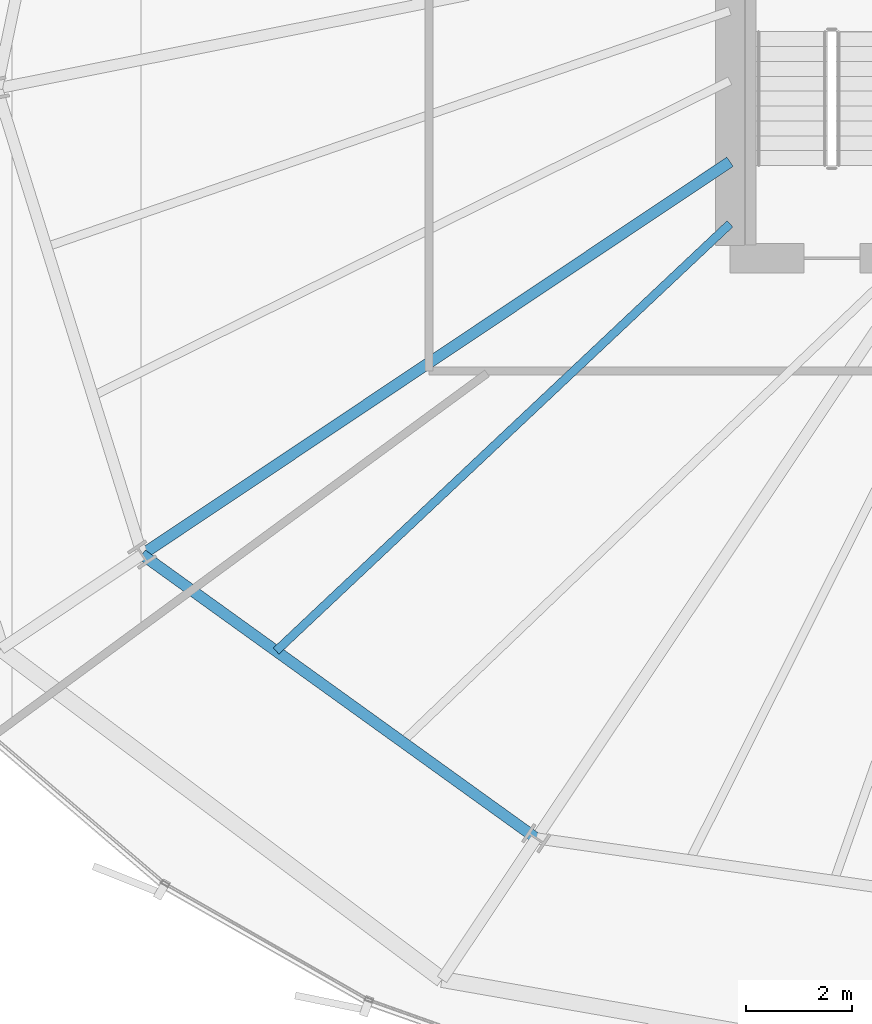
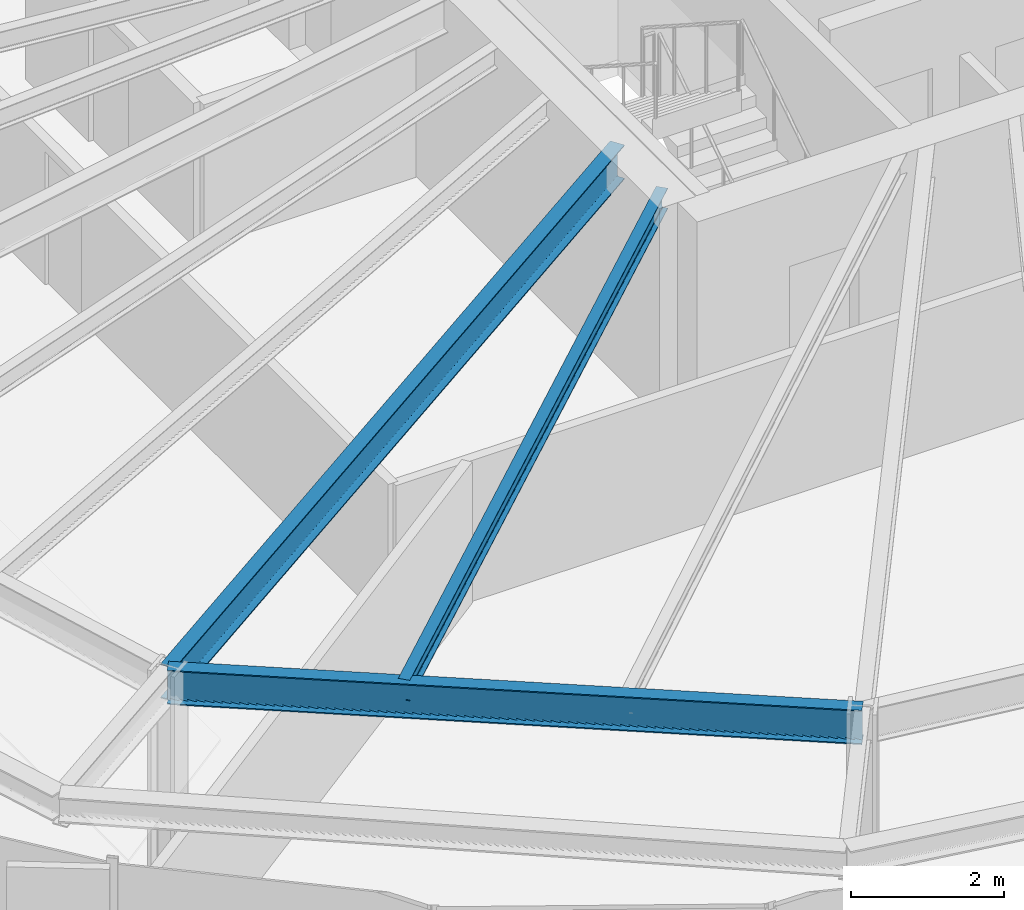
# One storey, part 4 of 33: 3 beams.
"""IFC4 building model written with IfcOpenShell, lengths in metres."""

import ifcopenshell
import ifcopenshell.guid

model = None  # the IFC model being written
_history = None  # IfcOwnerHistory: only IFC2X3 demands one
_inside = {}  # id of a spatial element -> (the spatial element, [elements in it])
_under = {}  # id of a project, library or spatial element -> (it, [spatial elements below it])
_declared = {}  # id of a project -> (the project, [libraries it declares])
_typed = {}  # id of a type object -> (the type object, [elements of that type])
_made_of = {}  # id of a material, layer set ... -> (it, [elements and type objects made of it])


def new_model(schema):
    """Start an empty IFC model of exactly this schema.

    Asked for "IFC4X3", IfcOpenShell would pick the latest addendum, in which some entities
    have other attributes; the version numbers below select the first issue.
    IFC2X3 requires an IfcOwnerHistory on every rooted entity: one is made here for all.
    """
    global model, _history
    if schema == "IFC4X3":
        model = ifcopenshell.file(schema_version=(4, 3, 0, 0))
    else:
        model = ifcopenshell.file(schema=schema)
    _inside.clear()
    _under.clear()
    _declared.clear()
    _typed.clear()
    _made_of.clear()
    _history = None
    if model.schema == "IFC2X3":
        org = make("IfcOrganization", Name="unknown")
        user = make(
            "IfcPersonAndOrganization",
            ThePerson=make("IfcPerson", FamilyName="unknown"),
            TheOrganization=org,
        )
        app = make(
            "IfcApplication",
            ApplicationDeveloper=org,
            Version="unknown",
            ApplicationFullName="unknown",
            ApplicationIdentifier="unknown",
        )
        _history = make(
            "IfcOwnerHistory",
            OwningUser=user,
            OwningApplication=app,
            ChangeAction="ADDED",
            CreationDate=0,
        )
    return model


def make(cls, **values):
    """One entity of the class cls with the attributes given. An attribute that is None is left unset."""
    return model.create_entity(
        cls, **{name: value for name, value in values.items() if value is not None}
    )


def rooted(cls, **values):
    """An entity with a GlobalId (a new one), such as an element, a storey or a relation."""
    return make(cls, GlobalId=ifcopenshell.guid.new(), OwnerHistory=_history, **values)


def si_unit(unit_type, name, prefix=None):
    """IfcSIUnit, for example si_unit("LENGTHUNIT", "METRE", prefix="MILLI")."""
    return make("IfcSIUnit", UnitType=unit_type, Prefix=prefix, Name=name)


def assignment(units):
    """IfcUnitAssignment: the units of a project."""
    return None if units is None else make("IfcUnitAssignment", Units=units)


def point(xyz):
    """IfcCartesianPoint."""
    return None if xyz is None else make("IfcCartesianPoint", Coordinates=xyz)


def direction(xyz):
    """IfcDirection."""
    return None if xyz is None else make("IfcDirection", DirectionRatios=xyz)


def frame(location, z_axis=None, x_axis=None):
    """IfcAxis2Placement3D, a coordinate frame: its origin and axes. An axis left out is left unset."""
    return make(
        "IfcAxis2Placement3D",
        Location=point(location),
        Axis=direction(z_axis),
        RefDirection=direction(x_axis),
    )


def frame_2d(location, x_axis=None):
    """IfcAxis2Placement2D, a coordinate frame in the plane: its origin and x axis."""
    return make(
        "IfcAxis2Placement2D", Location=point(location), RefDirection=direction(x_axis)
    )


def origin():
    """The frame at (0, 0, 0) with its axes left unset."""
    return frame((0.0, 0.0, 0.0))


def origin_2d():
    """The frame at (0, 0) in the plane with its x axis left unset."""
    return frame_2d((0.0, 0.0))


def place(relative_to, where):
    """IfcLocalPlacement: puts the frame where relative to a parent placement (None: the world)."""
    return make(
        "IfcLocalPlacement", PlacementRelTo=relative_to, RelativePlacement=where
    )


def context(
    kind, dimensions, precision=None, world=None, true_north=None, identifier=None
):
    """IfcGeometricRepresentationContext, for example the 3D "Model" context."""
    return make(
        "IfcGeometricRepresentationContext",
        ContextIdentifier=identifier,
        ContextType=kind,
        CoordinateSpaceDimension=dimensions,
        Precision=precision,
        WorldCoordinateSystem=world,
        TrueNorth=true_north,
    )


def subcontext(parent, identifier, kind, view, scale=None):
    """IfcGeometricRepresentationSubContext, for example "Body" below "Model"."""
    return make(
        "IfcGeometricRepresentationSubContext",
        ContextIdentifier=identifier,
        ContextType=kind,
        ParentContext=parent,
        TargetScale=scale,
        TargetView=view,
    )


def project(units=None, contexts=None):
    """IfcProject with its units and contexts."""
    return rooted(
        "IfcProject",
        Name="project",
        RepresentationContexts=contexts,
        UnitsInContext=assignment(units),
    )


def spatial(cls, under=None, at=None, **own):
    """A site, building, storey or space (cls), placed at a placement, below another one or the project."""
    s = rooted(cls, ObjectPlacement=at, **own)
    if under is not None:
        _under.setdefault(under.id(), (under, []))[1].append(s)
    return s


def profile(cls, at=None, kind="AREA", **sizes):
    """A parametric profile (cls). Its sizes go by their IFC names, for example OverallWidth=200.0."""
    return make(cls, ProfileType=kind, Position=at, **sizes)


def i_section(**sizes):
    """IfcIShapeProfileDef."""
    return profile("IfcIShapeProfileDef", **sizes)


def extrude(swept, where, along, depth):
    """IfcExtrudedAreaSolid: the profile swept, set in the frame where, extruded along a direction by depth."""
    return make(
        "IfcExtrudedAreaSolid",
        SweptArea=swept,
        Position=where,
        ExtrudedDirection=direction(along),
        Depth=depth,
    )


def shape(context_of_items, identifier, shape_type, items):
    """IfcShapeRepresentation: the items that make up one representation, for example the "Body"."""
    return make(
        "IfcShapeRepresentation",
        ContextOfItems=context_of_items,
        RepresentationIdentifier=identifier,
        RepresentationType=shape_type,
        Items=items,
    )


def source(mapping_origin, context_of_items, identifier, shape_type, items):
    """IfcRepresentationMap: a shape defined once, which mapped items show again and again."""
    return make(
        "IfcRepresentationMap",
        MappingOrigin=mapping_origin,
        MappedRepresentation=shape(context_of_items, identifier, shape_type, items),
    )


def transform(
    local_origin,
    x_axis=None,
    y_axis=None,
    z_axis=None,
    scale=None,
    scale2=None,
    scale3=None,
    uniform=True,
):
    """IfcCartesianTransformationOperator3D, or its non-uniform kind. x_axis, y_axis, z_axis: its Axis1, 2, 3."""
    if uniform:
        return make(
            "IfcCartesianTransformationOperator3D",
            Axis1=direction(x_axis),
            Axis2=direction(y_axis),
            LocalOrigin=point(local_origin),
            Scale=scale,
            Axis3=direction(z_axis),
        )
    return make(
        "IfcCartesianTransformationOperator3DnonUniform",
        Axis1=direction(x_axis),
        Axis2=direction(y_axis),
        LocalOrigin=point(local_origin),
        Scale=scale,
        Axis3=direction(z_axis),
        Scale2=scale2,
        Scale3=scale3,
    )


def mapped(mapping_source, mapping_target):
    """IfcMappedItem: shows the shape of a source again, moved by a transform."""
    return make(
        "IfcMappedItem", MappingSource=mapping_source, MappingTarget=mapping_target
    )


def material(Name=None, Category=None):
    """IfcMaterial."""
    return make("IfcMaterial", Name=Name, Category=Category)


def material_profile(
    of_material, cross_section, Name=None, Category=None, Priority=None
):
    """IfcMaterialProfile: a cross section and its material."""
    return make(
        "IfcMaterialProfile",
        Name=Name,
        Material=of_material,
        Profile=cross_section,
        Priority=Priority,
        Category=Category,
    )


def profile_set(profiles, Name=None, composite=None):
    """IfcMaterialProfileSet."""
    return make(
        "IfcMaterialProfileSet",
        Name=Name,
        MaterialProfiles=profiles,
        CompositeProfile=composite,
    )


def made_of(thing, what):
    """Note that an element or type object is made of a material, layer set ...; save() writes the relation."""
    if what is not None:
        _made_of.setdefault(what.id(), (what, []))[1].append(thing)
    return thing


def type_object(cls, material=None, **own):
    """A type object (cls), such as IfcWallType, which elements share."""
    return made_of(rooted(cls, **own), material)


def element(
    cls,
    number,
    at=None,
    inside=None,
    cuts=None,
    type_object=None,
    material=None,
    context=None,
    identifier="Body",
    shape_type=None,
    held_by="IfcProductDefinitionShape",
    body=None,
    shapes=None,
    **own,
):
    """One element of the class cls, such as IfcWall. Its Tag is "e" and its number.

    at: its placement. inside: the storey or other place that contains it. cuts: it is an
    opening in that element (IfcRelVoidsElement). A single representation is given by context,
    identifier, shape_type and body (its items); several are given by shapes. held_by: the class
    of the entity that holds the representations. save() writes the other relations.
    """
    e = rooted(cls, Tag="e%d" % number, ObjectPlacement=at, **own)
    if body is not None:
        shapes = [shape(context, identifier, shape_type, body)]
    if shapes is not None:
        e.Representation = make(held_by, Representations=shapes)
    if inside is not None:
        _inside.setdefault(inside.id(), (inside, []))[1].append(e)
    if cuts is not None:
        rooted(
            "IfcRelVoidsElement", RelatingBuildingElement=cuts, RelatedOpeningElement=e
        )
    if type_object is not None:
        _typed.setdefault(type_object.id(), (type_object, []))[1].append(e)
    return made_of(e, material)


def aggregate(whole, parts):
    """IfcRelAggregates: a whole, such as a stair, and the parts it consists of."""
    return rooted("IfcRelAggregates", RelatingObject=whole, RelatedObjects=parts)


def save(model, path):
    """Write the relations noted so far, then the file.

    IfcRelAggregates (storeys below a building ...), IfcRelContainedInSpatialStructure (elements
    in a storey), IfcRelDefinesByType, IfcRelAssociatesMaterial and IfcRelDeclares: one each for
    every whole, place, type object, material and project.
    """
    for whole, parts in _under.values():
        aggregate(whole, parts)
    for where, things in _inside.values():
        rooted(
            "IfcRelContainedInSpatialStructure",
            RelatedElements=things,
            RelatingStructure=where,
        )
    for kind, things in _typed.values():
        rooted("IfcRelDefinesByType", RelatedObjects=things, RelatingType=kind)
    for what, things in _made_of.values():
        rooted("IfcRelAssociatesMaterial", RelatedObjects=things, RelatingMaterial=what)
    for by, libraries in _declared.values():
        rooted("IfcRelDeclares", RelatingContext=by, RelatedDefinitions=libraries)
    model.write(path)


model = new_model("IFC4")

# Units and contexts
model_context = context("Model", 3, precision=1e-05, world=origin(), true_north=direction((0.0, 1.0)))
body_context = subcontext(model_context, "Body", "Model", "MODEL_VIEW")
ifc_project = project(units=[si_unit("LENGTHUNIT", "METRE"), si_unit("AREAUNIT", "SQUARE_METRE"), si_unit("VOLUMEUNIT", "CUBIC_METRE"), si_unit("PLANEANGLEUNIT", "RADIAN"), si_unit("MASSUNIT", "GRAM", prefix="KILO"), si_unit("THERMODYNAMICTEMPERATUREUNIT", "KELVIN")], contexts=[model_context])

# Site, building, storey
site_placement = place(None, origin())
site = spatial("IfcSite", under=ifc_project, at=site_placement, CompositionType="ELEMENT")
building_placement = place(site_placement, origin())
building = spatial("IfcBuilding", under=site, at=building_placement, Name="Kethvar Cultural Tower", CompositionType="ELEMENT")
storey_placement = place(building_placement, frame((0.0, 0.0, 114.39990234375)))
storey = spatial("IfcBuildingStorey", under=building, at=storey_placement, Name="L28", CompositionType="ELEMENT", Elevation=114.39990234375)

# Beams
ifc_material = material(Name="Steel S355J2", Category="steel")
ifc_material_profile_1 = material_profile(ifc_material, i_section(OverallWidth=0.2099609375, OverallDepth=0.550048828125, WebThickness=0.010986328125, FlangeThickness=0.01708984375, FilletRadius=0.02392578125, at=origin_2d()), Name="Steel S355J2 — IPE550")
ifc_profile_set_1 = profile_set([ifc_material_profile_1], Name="Steel S355J2 — IPE550")
beam_type_1 = type_object("IfcBeamType", Name="BM-IPE550", PredefinedType="BEAM", material=ifc_profile_set_1)
shared_shape_1 = source(origin(), body_context, "Body", "SweptSolid", [
    extrude(i_section(OverallWidth=0.2099609375, OverallDepth=0.550048828125, WebThickness=0.010986328125, FlangeThickness=0.01708984375, FilletRadius=0.02392578125, at=origin_2d()), origin(), (0.0, 0.0, 1.0), 13.324951171875),
])
beam_1_placement = place(storey_placement, frame((38.0, 21.919921875, 3.072998046875), z_axis=(-0.831474815475, -0.555562445843, 0.0), x_axis=(0.555562445843, -0.831474815475, 0.0)))
element("IfcBeam", 1, at=beam_1_placement, inside=storey, type_object=beam_type_1, Name="L28 Primary Radial Beam RB-10", PredefinedType="BEAM", context=body_context, shape_type="MappedRepresentation", body=[
    mapped(shared_shape_1, transform((0.0, 0.0, 0.0), scale=1.0)),
])
shared_shape_2 = source(origin(), body_context, "Body", "SweptSolid", [
    extrude(i_section(OverallWidth=0.2099609375, OverallDepth=0.550048828125, WebThickness=0.010986328125, FlangeThickness=0.01708984375, FilletRadius=0.02392578125, at=origin_2d()), origin(), (0.0, 0.0, 1.0), 9.155029296875),
])
beam_2_placement = place(storey_placement, frame((26.920654296875, 14.51708984375, 3.072998046875), z_axis=(0.811590987974, -0.584226042076, 0.0), x_axis=(0.584226042076, 0.811590987974, 0.0)))
element("IfcBeam", 2, at=beam_2_placement, inside=storey, type_object=beam_type_1, Name="L28 Column Ring Tie Beam CR-10", PredefinedType="BEAM", context=body_context, shape_type="MappedRepresentation", body=[
    mapped(shared_shape_2, transform((0.0, 0.0, 0.0), scale=1.0)),
])
ifc_material_profile_2 = material_profile(ifc_material, i_section(OverallWidth=0.159912109375, OverallDepth=0.330078125, WebThickness=0.007568359375, FlangeThickness=0.011474609375, FilletRadius=0.01806640625, at=origin_2d()), Name="Steel S355J2 — IPE330")
ifc_profile_set_2 = profile_set([ifc_material_profile_2], Name="Steel S355J2 — IPE330")
beam_type_2 = type_object("IfcBeamType", Name="BM-J330", PredefinedType="JOIST", material=ifc_profile_set_2)
shared_shape_3 = source(origin(), body_context, "Body", "SweptSolid", [
    extrude(i_section(OverallWidth=0.159912109375, OverallDepth=0.330078125, WebThickness=0.007568359375, FlangeThickness=0.011474609375, FilletRadius=0.01806640625, at=origin_2d()), origin(), (0.0, 0.0, 1.0), 11.74658203125),
])
beam_3_placement = place(storey_placement, frame((38.0, 20.75, 3.18310546875), z_axis=(-0.728129818661, -0.685439251266, 0.0), x_axis=(0.685439251266, -0.728129818661, 0.0)))
element("IfcBeam", 3, at=beam_3_placement, inside=storey, type_object=beam_type_2, Name="L28 Composite Floor Joist J-10A", PredefinedType="JOIST", context=body_context, shape_type="MappedRepresentation", body=[
    mapped(shared_shape_3, transform((0.0, 0.0, 0.0), scale=1.0)),
])

save(model, "model.ifc")
